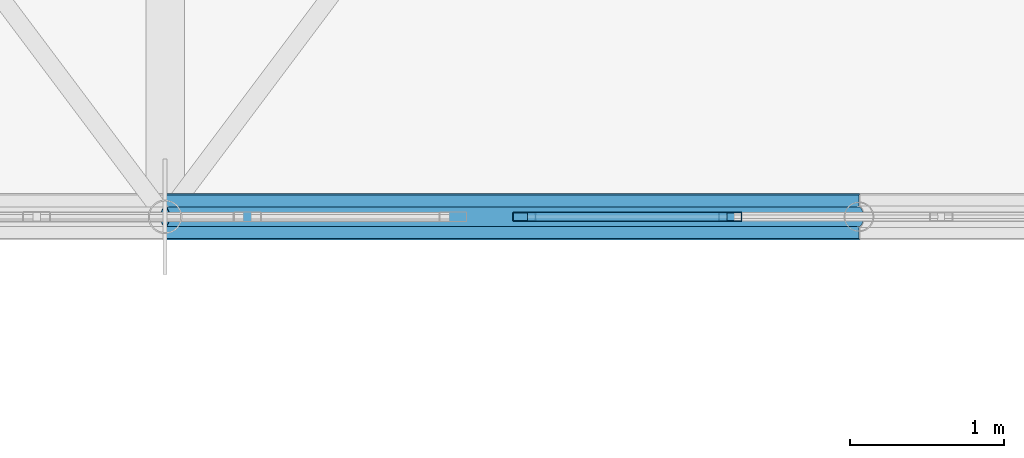
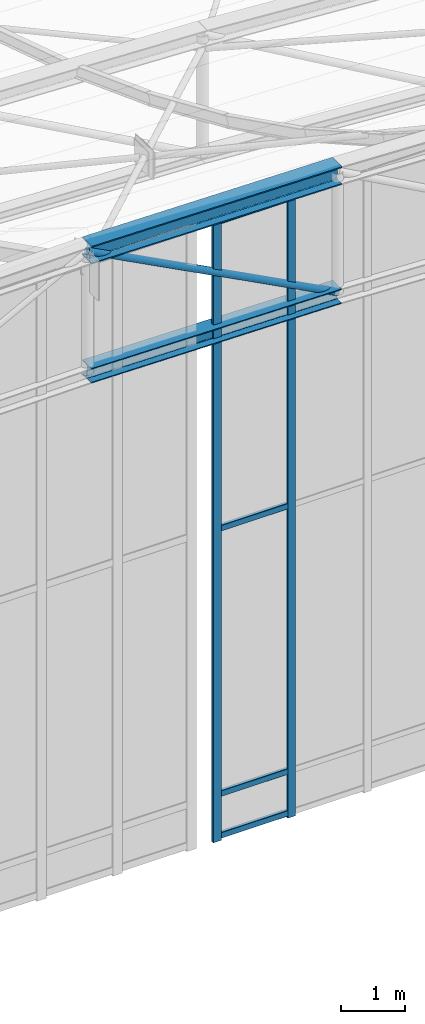
# One storey, part 57 of 262: 9 members, 1 element without a shape of its own.
"""IFC4 building model written with IfcOpenShell, lengths in metres."""

from ifc_helpers import new_model, si_unit, derived_unit, direction, frame, origin, origin_2d, place, context, subcontext, project, spatial, hollow_rectangle, hollow_circle, i_section, extrude, material, layer, layer_set, material_profile, profile_set, type_object, element, aggregate, save


model = new_model("IFC4")

# Units and contexts
model_context = context("Model", 3, precision=1e-05, world=origin(), true_north=direction((0.0, 1.0)))
body_context = subcontext(model_context, "Body", "Model", "MODEL_VIEW")
ifc_project = project(units=[si_unit("LENGTHUNIT", "METRE"), si_unit("AREAUNIT", "SQUARE_METRE"), si_unit("VOLUMEUNIT", "CUBIC_METRE"), si_unit("PLANEANGLEUNIT", "RADIAN"), si_unit("MASSUNIT", "GRAM", prefix="KILO"), derived_unit("THERMALTRANSMITTANCEUNIT", [(si_unit("POWERUNIT", "WATT"), 1), (si_unit("LENGTHUNIT", "METRE"), -2), (si_unit("THERMODYNAMICTEMPERATUREUNIT", "KELVIN"), -1)])], contexts=[model_context])

# Site, building, storey
site_placement = place(None, origin())
site = spatial("IfcSite", under=ifc_project, at=site_placement, CompositionType="ELEMENT")
building_placement = place(site_placement, origin())
building = spatial("IfcBuilding", under=site, at=building_placement, Name="Almenara Railside Exhibition Hall", CompositionType="ELEMENT")
storey_placement = place(building_placement, frame((0.0, 0.0, 21.699951171875)))
storey = spatial("IfcBuildingStorey", under=building, at=storey_placement, Name="RF", CompositionType="ELEMENT", Elevation=21.699951171875)

# Members
ifc_material_1 = material(Name="Structural steel S355JR", Category="steel")
ifc_material_profile_1 = material_profile(ifc_material_1, i_section(OverallWidth=0.280029296875, OverallDepth=0.280029296875, WebThickness=0.010498046875, FlangeThickness=0.01806640625, FilletRadius=0.02392578125, at=origin_2d()), Name="HEB 280")
ifc_profile_set_1 = profile_set([ifc_material_profile_1], Name="Structural steel S355JR")
member_type_1 = type_object("IfcMemberType", Name="Arched Gable Bottom Chord HEB 280 S355JR", PredefinedType="CHORD", material=ifc_profile_set_1)
member_1_placement = place(storey_placement, frame((39.0, 48.0, 8.800048828125), z_axis=(0.999908030213, 0.0, -0.013562120635), x_axis=(0.0, 1.0, 0.0)))
element("IfcMember", 1, at=member_1_placement, inside=storey, type_object=member_type_1, Name="MEM-BC-V1-00-06", PredefinedType="CHORD", context=body_context, shape_type="SweptSolid", body=[
    extrude(i_section(OverallWidth=0.280029296875, OverallDepth=0.280029296875, WebThickness=0.010498046875, FlangeThickness=0.01806640625, FilletRadius=0.02392578125, at=origin_2d()), origin(), (0.0, 0.0, 1.0), 4.50048828125),
])
ifc_material_profile_2 = material_profile(ifc_material_1, i_section(OverallWidth=0.300048828125, OverallDepth=0.340087890625, WebThickness=0.011962890625, FlangeThickness=0.021484375, FilletRadius=0.027099609375, at=origin_2d()), Name="HEB 340")
ifc_profile_set_2 = profile_set([ifc_material_profile_2], Name="Structural steel S355JR")
member_type_2 = type_object("IfcMemberType", Name="Arched Gable Top Chord HEB 340 S355JR", PredefinedType="CHORD", material=ifc_profile_set_2)
member_2_placement = place(storey_placement, frame((39.0, 48.0, 11.10009765625), z_axis=(0.999907293085, 0.0, -0.01361635908), x_axis=(0.0, 1.0, 0.0)))
element("IfcMember", 2, at=member_2_placement, inside=storey, type_object=member_type_2, Name="MEM-TC-V1-00-06", PredefinedType="CHORD", context=body_context, shape_type="SweptSolid", body=[
    extrude(i_section(OverallWidth=0.300048828125, OverallDepth=0.340087890625, WebThickness=0.011962890625, FlangeThickness=0.021484375, FilletRadius=0.027099609375, at=origin_2d()), origin(), (0.0, 0.0, 1.0), 4.50048828125),
])

# Curtain wall, members
ifc_material_2 = material(Name="Bronze-anodised aluminium and low-E double glazing", Category="aluminium")
ifc_layer = layer(ifc_material_2, 0.179931640625, Name="Bronze-anodised aluminium and low-E double glazing")
ifc_layer_set = layer_set([ifc_layer], Name="Bronze-anodised aluminium and low-E double glazing")
curtain_wall_type = type_object("IfcCurtainWallType", Name="Scroll Gable Tall Curtain Wall 3800x5400", PredefinedType="NOTDEFINED", material=ifc_layer_set)
curtain_wall_placement = place(storey_placement, origin())
curtain_wall = element("IfcCurtainWall", 3, at=curtain_wall_placement, inside=storey, type_object=curtain_wall_type, Name="Curtain wall CW-G1-202", PredefinedType="NOTDEFINED")
ifc_material_3 = material(Name="Bronze-anodised aluminium", Category="aluminium")
ifc_material_profile_3 = material_profile(ifc_material_3, hollow_rectangle(XDim=0.06005859375, YDim=0.14990234375, WallThickness=0.00341796875, InnerFilletRadius=0.00341796875, OuterFilletRadius=0.007080078125, at=origin_2d()), Name="ALU-MUL 60x150x3.5")
ifc_profile_set_3 = profile_set([ifc_material_profile_3], Name="Bronze-anodised aluminium")
member_type_3 = type_object("IfcMemberType", Name="Curtain Wall Mullion 60x150x3.5", PredefinedType="MULLION", material=ifc_profile_set_3)
member_3_placement = place(storey_placement, frame((41.330078125, 48.0, -0.93505859375), z_axis=(0.0, 0.0, 1.0), x_axis=(0.0, 1.0, 0.0)))
member_3 = element("IfcMember", 4, at=member_3_placement, type_object=member_type_3, Name="CW-G1-202 mullion 1", PredefinedType="MULLION", context=body_context, shape_type="SweptSolid", body=[
    extrude(hollow_rectangle(XDim=0.06005859375, YDim=0.14990234375, WallThickness=0.00341796875, InnerFilletRadius=0.00341796875, OuterFilletRadius=0.007080078125, at=origin_2d()), origin(), (0.0, 0.0, 1.0), 11.8251953125),
])
member_4_placement = place(storey_placement, frame((42.666748046875, 48.0, -0.93505859375), z_axis=(0.0, 0.0, 1.0), x_axis=(0.0, 1.0, 0.0)))
member_4 = element("IfcMember", 5, at=member_4_placement, type_object=member_type_3, Name="CW-G1-202 mullion 2", PredefinedType="MULLION", context=body_context, shape_type="SweptSolid", body=[
    extrude(hollow_rectangle(XDim=0.06005859375, YDim=0.14990234375, WallThickness=0.00341796875, InnerFilletRadius=0.00341796875, OuterFilletRadius=0.007080078125, at=origin_2d()), origin(), (0.0, 0.0, 1.0), 11.8251953125),
])
ifc_material_profile_4 = material_profile(ifc_material_3, hollow_rectangle(XDim=0.06005859375, YDim=0.110107421875, WallThickness=0.0029296875, InnerFilletRadius=0.0029296875, OuterFilletRadius=0.006103515625, at=origin_2d()), Name="ALU-TRN 60x110x3")
ifc_profile_set_4 = profile_set([ifc_material_profile_4], Name="Bronze-anodised aluminium")
member_type_4 = type_object("IfcMemberType", Name="Curtain Wall Transom 60x110x3", PredefinedType="USERDEFINED", material=ifc_profile_set_4)
member_5_placement = place(storey_placement, frame((41.35205078125, 48.0, -0.844970703125), z_axis=(1.0, 0.0, 0.0), x_axis=(0.0, 1.0, 0.0)))
member_5 = element("IfcMember", 6, at=member_5_placement, type_object=member_type_4, Name="CW-G1-202 transom 1.1", ObjectType="TRANSOM", PredefinedType="USERDEFINED", context=body_context, shape_type="SweptSolid", body=[
    extrude(hollow_rectangle(XDim=0.06005859375, YDim=0.110107421875, WallThickness=0.0029296875, InnerFilletRadius=0.0029296875, OuterFilletRadius=0.006103515625, at=origin_2d()), origin(), (0.0, 0.0, 1.0), 1.292724609375),
])
member_6_placement = place(storey_placement, frame((41.35205078125, 48.0, -0.050048828125), z_axis=(1.0, 0.0, 0.0), x_axis=(0.0, 1.0, 0.0)))
member_6 = element("IfcMember", 7, at=member_6_placement, type_object=member_type_4, Name="CW-G1-202 transom 1.2", ObjectType="TRANSOM", PredefinedType="USERDEFINED", context=body_context, shape_type="SweptSolid", body=[
    extrude(hollow_rectangle(XDim=0.06005859375, YDim=0.110107421875, WallThickness=0.0029296875, InnerFilletRadius=0.0029296875, OuterFilletRadius=0.006103515625, at=origin_2d()), origin(), (0.0, 0.0, 1.0), 1.292724609375),
])
member_7_placement = place(storey_placement, frame((41.35205078125, 48.0, 4.9951171875), z_axis=(1.0, 0.0, 0.0), x_axis=(0.0, 1.0, 0.0)))
member_7 = element("IfcMember", 8, at=member_7_placement, type_object=member_type_4, Name="CW-G1-202 transom 1.3", ObjectType="TRANSOM", PredefinedType="USERDEFINED", context=body_context, shape_type="SweptSolid", body=[
    extrude(hollow_rectangle(XDim=0.06005859375, YDim=0.110107421875, WallThickness=0.0029296875, InnerFilletRadius=0.0029296875, OuterFilletRadius=0.006103515625, at=origin_2d()), origin(), (0.0, 0.0, 1.0), 1.292724609375),
])
member_8_placement = place(storey_placement, frame((41.35205078125, 48.0, 10.8349609375), z_axis=(1.0, 0.0, 0.0), x_axis=(0.0, 1.0, 0.0)))
member_8 = element("IfcMember", 9, at=member_8_placement, type_object=member_type_4, Name="CW-G1-202 transom 1.4", ObjectType="TRANSOM", PredefinedType="USERDEFINED", context=body_context, shape_type="SweptSolid", body=[
    extrude(hollow_rectangle(XDim=0.06005859375, YDim=0.110107421875, WallThickness=0.0029296875, InnerFilletRadius=0.0029296875, OuterFilletRadius=0.006103515625, at=origin_2d()), origin(), (0.0, 0.0, 1.0), 1.292724609375),
])
aggregate(curtain_wall, [member_3, member_4, member_5, member_6, member_7, member_8])

# Member
ifc_material_profile_5 = material_profile(ifc_material_1, hollow_circle(Radius=0.0634765625, WallThickness=0.00439453125, at=origin_2d()), Name="CHS 127.0x4.5")
ifc_profile_set_5 = profile_set([ifc_material_profile_5], Name="Structural steel S355JR")
member_type_5 = type_object("IfcMemberType", Name="Truss Crown Diagonal CHS 127.0x4.5 S355JR", PredefinedType="BRACE", material=ifc_profile_set_5)
member_9_placement = place(storey_placement, frame((39.0, 48.0, 11.10009765625), z_axis=(0.885512555589, 0.0, -0.464615447326), x_axis=(0.0, 1.0, 0.0)))
element("IfcMember", 10, at=member_9_placement, inside=storey, type_object=member_type_5, Name="MEM-TD-V1-00-06", PredefinedType="BRACE", context=body_context, shape_type="SweptSolid", body=[
    extrude(hollow_circle(Radius=0.0634765625, WallThickness=0.00439453125, at=origin_2d()), origin(), (0.0, 0.0, 1.0), 5.081787109375),
])

save(model, "model.ifc")
